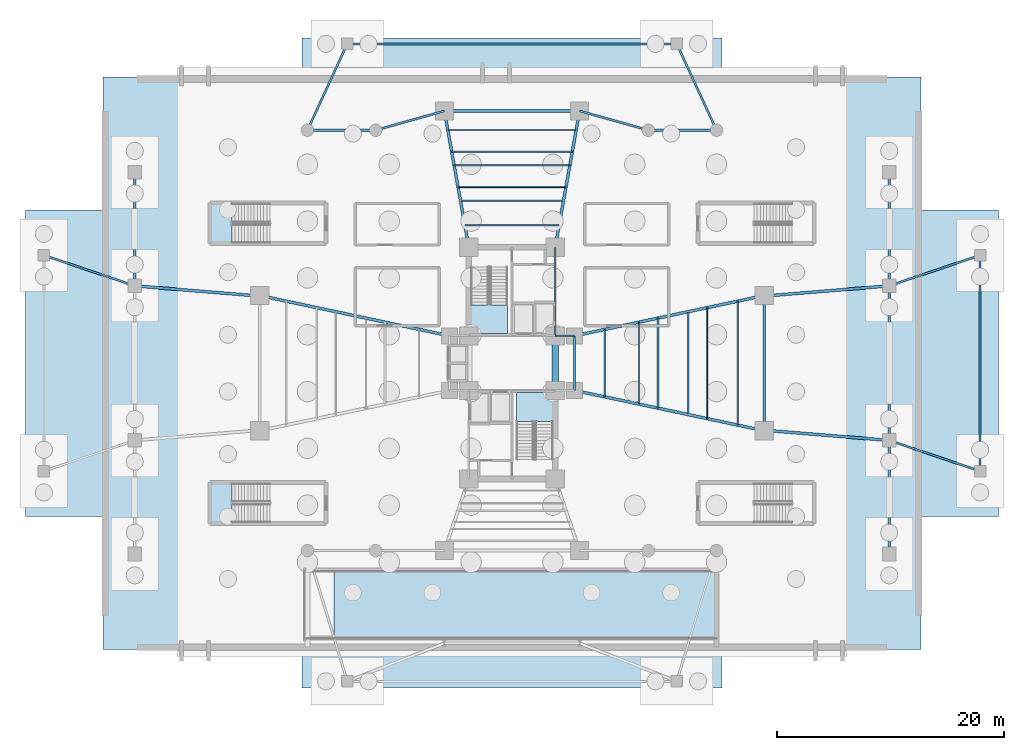
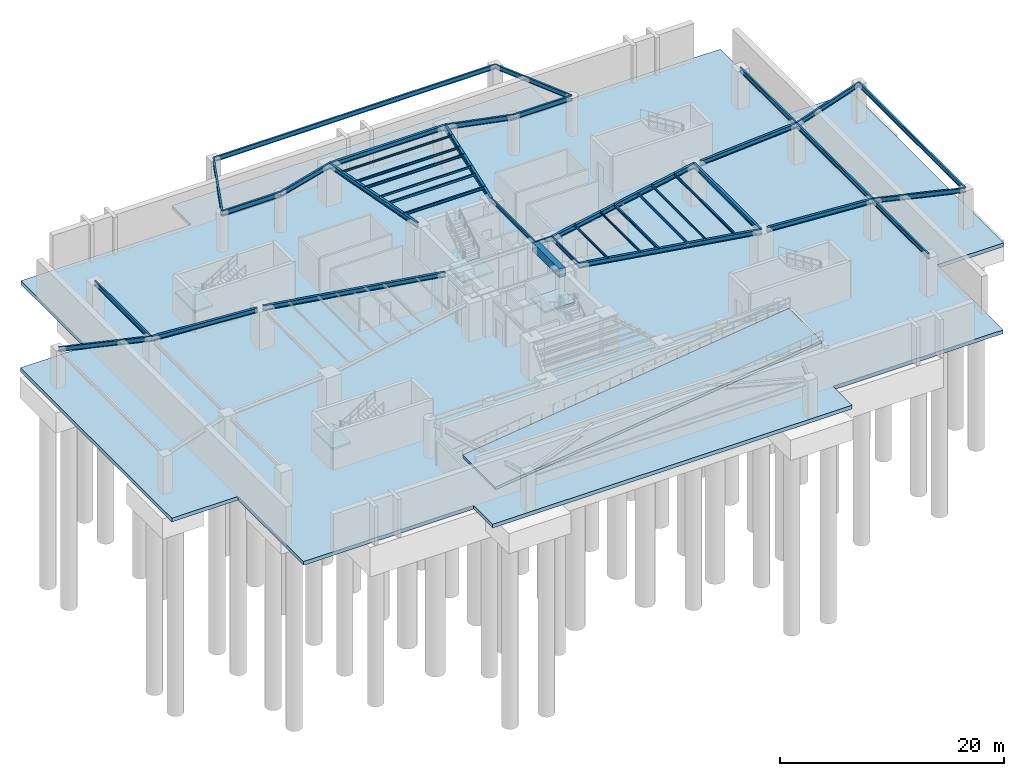
# One storey, part 4 of 15: 41 beams, 6 slabs, 4 elements without a shape of their own.
"""IFC4 building model written with IfcOpenShell, lengths in metres."""

from ifc_helpers import new_model, si_unit, direction, frame, origin, origin_2d, place, context, subcontext, project, spatial, polyline, rectangle, hollow_rectangle, i_section, outline, extrude, source, transform, mapped, material, layer, layer_set, material_profile, profile_set, type_object, element, aggregate, save


model = new_model("IFC4")

# Units and contexts
model_context = context("Model", 3, precision=1e-05, world=origin(), true_north=direction((0.0, 1.0)))
body_context = subcontext(model_context, "Body", "Model", "MODEL_VIEW")
ifc_project = project(units=[si_unit("LENGTHUNIT", "METRE"), si_unit("AREAUNIT", "SQUARE_METRE"), si_unit("VOLUMEUNIT", "CUBIC_METRE"), si_unit("PLANEANGLEUNIT", "RADIAN"), si_unit("MASSUNIT", "GRAM", prefix="KILO")], contexts=[model_context])

# Site, building, storey
site_placement = place(None, origin())
site = spatial("IfcSite", under=ifc_project, at=site_placement, CompositionType="ELEMENT")
building_placement = place(site_placement, origin())
building = spatial("IfcBuilding", under=site, at=building_placement, Name="Sahyath Konkavel Grand Hotel", CompositionType="ELEMENT")
storey_placement = place(building_placement, frame((0.0, 0.0, -9.0)))
storey = spatial("IfcBuildingStorey", under=building, at=storey_placement, Name="B2", CompositionType="ELEMENT", Elevation=-9.0)

# Beams
ifc_material_1 = material(Name="Steel E350", Category="steel")
ifc_material_profile_1 = material_profile(ifc_material_1, i_section(OverallWidth=0.179931640625, OverallDepth=0.5, WebThickness=0.01025390625, FlangeThickness=0.01708984375, FilletRadius=0.01708984375, at=origin_2d()), Name="ISMB 500")
ifc_profile_set_1 = profile_set([ifc_material_profile_1], Name="Steel E350")
beam_type_1 = type_object("IfcBeamType", Name="BM-ISMB500", PredefinedType="BEAM", material=ifc_profile_set_1)
shared_shape_1 = source(origin(), body_context, "Body", "SweptSolid", [
    extrude(i_section(OverallWidth=0.179931640625, OverallDepth=0.5, WebThickness=0.01025390625, FlangeThickness=0.01708984375, FilletRadius=0.01708984375, at=origin_2d()), origin(), (0.0, 0.0, 1.0), 19.0),
])
beam_1_placement = place(storey_placement, frame((41.199951171875, -9.5, 3.89990234375), z_axis=(0.0, 1.0, 0.0), x_axis=(-1.0, 0.0, 0.0)))
element("IfcBeam", 1, at=beam_1_placement, inside=storey, type_object=beam_type_1, Name="B2 Metro Portal Wing Girder 01", PredefinedType="BEAM", context=body_context, shape_type="MappedRepresentation", body=[
    mapped(shared_shape_1, transform((0.0, 0.0, 0.0), scale=1.0)),
])
shared_shape_2 = source(origin(), body_context, "Body", "SweptSolid", [
    extrude(i_section(OverallWidth=0.179931640625, OverallDepth=0.5, WebThickness=0.01025390625, FlangeThickness=0.01708984375, FilletRadius=0.01708984375, at=origin_2d()), origin(), (0.0, 0.0, 1.0), 8.443359375),
])
for number, where, z_axis, x_axis, name in (
    (2, (41.199951171875, -9.5, 3.89990234375), (-0.947494031165, 0.319773452474, 0.0), (-0.319773452474, -0.947494031165, 0.0), "B2 Metro Portal Wing Girder 02"),
    (3, (41.199951171875, 9.5, 3.89990234375), (-0.947494031165, -0.319773452474, 0.0), (0.319773452474, -0.947494031165, 0.0), "B2 Metro Portal Wing Girder 03"),
    (4, (-41.199951171875, 9.5, 3.89990234375), (0.947494031165, -0.319773452474, 0.0), (0.319773452474, 0.947494031165, 0.0), "B2 Metro Portal Wing Girder 06"),
):
    element("IfcBeam", number, at=place(storey_placement, frame(where, z_axis=z_axis, x_axis=x_axis)), inside=storey, type_object=beam_type_1, Name=name, PredefinedType="BEAM", context=body_context, shape_type="MappedRepresentation", body=[
        mapped(shared_shape_2, transform((0.0, 0.0, 0.0), scale=1.0)),
    ])
shared_shape_3 = source(origin(), body_context, "Body", "SweptSolid", [
    extrude(i_section(OverallWidth=0.179931640625, OverallDepth=0.5, WebThickness=0.01025390625, FlangeThickness=0.01708984375, FilletRadius=0.01708984375, at=origin_2d()), origin(), (0.0, 0.0, 1.0), 29.0),
])
beam_2_placement = place(storey_placement, frame((-14.5, 28.10009765625, 3.89990234375), z_axis=(1.0, 0.0, 0.0), x_axis=(0.0, 1.0, 0.0)))
element("IfcBeam", 5, at=beam_2_placement, inside=storey, type_object=beam_type_1, Name="B2 Metro Portal Wing Girder 07", PredefinedType="BEAM", context=body_context, shape_type="MappedRepresentation", body=[
    mapped(shared_shape_3, transform((0.0, 0.0, 0.0), scale=1.0)),
])
shared_shape_4 = source(origin(), body_context, "Body", "SweptSolid", [
    extrude(i_section(OverallWidth=0.179931640625, OverallDepth=0.5, WebThickness=0.01025390625, FlangeThickness=0.01708984375, FilletRadius=0.01708984375, at=origin_2d()), origin(), (0.0, 0.0, 1.0), 8.3671875),
])
for number, where, z_axis, x_axis, name in (
    (6, (-14.5, 28.10009765625, 3.89990234375), (-0.418295701327, -0.908310908363, 0.0), (0.908310908363, -0.418295701327, 0.0), "B2 Metro Portal Wing Girder 08"),
    (7, (14.5, 28.10009765625, 3.89990234375), (0.418295701327, -0.908310908363, 0.0), (0.908310908363, 0.418295701327, 0.0), "B2 Metro Portal Wing Girder 09"),
):
    element("IfcBeam", number, at=place(storey_placement, frame(where, z_axis=z_axis, x_axis=x_axis)), inside=storey, type_object=beam_type_1, Name=name, PredefinedType="BEAM", context=body_context, shape_type="MappedRepresentation", body=[
        mapped(shared_shape_4, transform((0.0, 0.0, 0.0), scale=1.0)),
    ])
ifc_material_2 = material(Name="Concrete C70/85", Category="concrete")
ifc_material_profile_2 = material_profile(ifc_material_2, rectangle(XDim=0.60009765625, YDim=0.89990234375, at=origin_2d()), Name="RC 600x900")
ifc_profile_set_2 = profile_set([ifc_material_profile_2], Name="Concrete C70/85")
beam_type_2 = type_object("IfcBeamType", Name="BM-CB600x900", PredefinedType="LINTEL", material=ifc_profile_set_2)
shared_shape_5 = source(origin(), body_context, "Body", "SweptSolid", [
    extrude(rectangle(XDim=0.60009765625, YDim=0.89990234375, at=origin_2d()), origin(), (0.0, 0.0, 1.0), 4.7998046875),
])
beam_3_placement = place(storey_placement, frame((3.800048828125, -2.39990234375, 3.699951171875), z_axis=(0.0, 1.0, 0.0), x_axis=(-1.0, 0.0, 0.0)))
element("IfcBeam", 8, at=beam_3_placement, inside=storey, type_object=beam_type_2, Name="B2 Split-Core Coupling Beam East", PredefinedType="LINTEL", context=body_context, shape_type="MappedRepresentation", body=[
    mapped(shared_shape_5, transform((0.0, 0.0, 0.0), scale=1.0)),
])
ifc_material_profile_3 = material_profile(ifc_material_1, i_section(OverallWidth=0.139892578125, OverallDepth=0.39990234375, WebThickness=0.0087890625, FlangeThickness=0.01611328125, FilletRadius=0.013916015625, at=origin_2d()), Name="ISMB 400")
ifc_profile_set_3 = profile_set([ifc_material_profile_3], Name="Steel E350")
beam_type_3 = type_object("IfcBeamType", Name="BM-ISMB400", PredefinedType="BEAM", material=ifc_profile_set_3)
shared_shape_6 = source(origin(), body_context, "Body", "SweptSolid", [
    extrude(i_section(OverallWidth=0.139892578125, OverallDepth=0.39990234375, WebThickness=0.0087890625, FlangeThickness=0.01611328125, FilletRadius=0.013916015625, at=origin_2d()), origin(), (0.0, 0.0, 1.0), 7.800048828125),
])
beam_4_placement = place(storey_placement, frame((3.800048828125, 2.39990234375, 3.949951171875), z_axis=(0.0, 1.0, 0.0), x_axis=(-1.0, 0.0, 0.0)))
element("IfcBeam", 9, at=beam_4_placement, inside=storey, type_object=beam_type_3, Name="str:bm:B2:NC-E", PredefinedType="BEAM", context=body_context, shape_type="MappedRepresentation", body=[
    mapped(shared_shape_6, transform((0.0, 0.0, 0.0), scale=1.0)),
])
shared_shape_7 = source(origin(), body_context, "Body", "SweptSolid", [
    extrude(i_section(OverallWidth=0.139892578125, OverallDepth=0.39990234375, WebThickness=0.0087890625, FlangeThickness=0.01611328125, FilletRadius=0.013916015625, at=origin_2d()), origin(), (0.0, 0.0, 1.0), 1.699951171875),
])
beam_5_placement = place(storey_placement, frame((3.800048828125, 2.39990234375, 3.949951171875), z_axis=(1.0, 0.0, 0.0), x_axis=(0.0, 1.0, 0.0)))
element("IfcBeam", 10, at=beam_5_placement, inside=storey, type_object=beam_type_3, Name="str:bm:B2:HB-NE", PredefinedType="BEAM", context=body_context, shape_type="MappedRepresentation", body=[
    mapped(shared_shape_7, transform((0.0, 0.0, 0.0), scale=1.0)),
])
shared_shape_8 = source(origin(), body_context, "Body", "SweptSolid", [
    extrude(i_section(OverallWidth=0.139892578125, OverallDepth=0.39990234375, WebThickness=0.0087890625, FlangeThickness=0.01611328125, FilletRadius=0.013916015625, at=origin_2d()), origin(), (0.0, 0.0, 1.0), 4.7998046875),
])
beam_6_placement = place(storey_placement, frame((5.5, -2.39990234375, 3.949951171875), z_axis=(0.0, 1.0, 0.0), x_axis=(-1.0, 0.0, 0.0)))
element("IfcBeam", 11, at=beam_6_placement, inside=storey, type_object=beam_type_3, Name="str:bm:B2:HB-E", PredefinedType="BEAM", context=body_context, shape_type="MappedRepresentation", body=[
    mapped(shared_shape_8, transform((0.0, 0.0, 0.0), scale=1.0)),
])
ifc_material_profile_4 = material_profile(ifc_material_1, i_section(OverallWidth=0.25, OverallDepth=0.5, WebThickness=0.010009765625, FlangeThickness=0.0146484375, FilletRadius=0.014892578125, at=origin_2d()), Name="ISWB 500")
ifc_profile_set_4 = profile_set([ifc_material_profile_4], Name="Steel E350")
beam_type_4 = type_object("IfcBeamType", Name="BM-ISWB500", PredefinedType="BEAM", material=ifc_profile_set_4)
shared_shape_9 = source(origin(), body_context, "Body", "SweptSolid", [
    extrude(i_section(OverallWidth=0.25, OverallDepth=0.5, WebThickness=0.010009765625, FlangeThickness=0.0146484375, FilletRadius=0.014892578125, at=origin_2d()), origin(), (0.0, 0.0, 1.0), 17.072998046875),
])
for number, where, z_axis, x_axis, name in (
    (12, (5.5, -2.39990234375, 3.89990234375), (0.978143257225, -0.20793212437, 0.0), (0.20793212437, 0.978143257225, 0.0), "B2 Podium Primary Girder EA"),
    (13, (5.5, 2.39990234375, 3.89990234375), (0.978143257225, 0.20793212437, 0.0), (-0.20793212437, 0.978143257225, 0.0), "B2 Podium Primary Girder EB"),
    (14, (-5.5, 2.39990234375, 3.89990234375), (-0.978143257225, 0.20793212437, 0.0), (-0.20793212437, -0.978143257225, 0.0), "B2 Podium Primary Girder WA"),
):
    element("IfcBeam", number, at=place(storey_placement, frame(where, z_axis=z_axis, x_axis=x_axis)), inside=storey, type_object=beam_type_4, Name=name, PredefinedType="BEAM", context=body_context, shape_type="MappedRepresentation", body=[
        mapped(shared_shape_9, transform((0.0, 0.0, 0.0), scale=1.0)),
    ])
shared_shape_10 = source(origin(), body_context, "Body", "SweptSolid", [
    extrude(i_section(OverallWidth=0.25, OverallDepth=0.5, WebThickness=0.010009765625, FlangeThickness=0.0146484375, FilletRadius=0.014892578125, at=origin_2d()), origin(), (0.0, 0.0, 1.0), 12.191162109375),
])
for number, where, z_axis, x_axis, name in (
    (15, (3.800048828125, 10.199951171875, 3.89990234375), (0.176350650305, 0.984327409014, 0.0), (-0.984327409014, 0.176350650305, 0.0), "B2 Podium Primary Girder NA"),
    (16, (-3.800048828125, 10.199951171875, 3.89990234375), (-0.176350650305, 0.984327409014, 0.0), (-0.984327409014, -0.176350650305, 0.0), "B2 Podium Primary Girder NB"),
):
    element("IfcBeam", number, at=place(storey_placement, frame(where, z_axis=z_axis, x_axis=x_axis)), inside=storey, type_object=beam_type_4, Name=name, PredefinedType="BEAM", context=body_context, shape_type="MappedRepresentation", body=[
        mapped(shared_shape_10, transform((0.0, 0.0, 0.0), scale=1.0)),
    ])
shared_shape_11 = source(origin(), body_context, "Body", "SweptSolid", [
    extrude(i_section(OverallWidth=0.25, OverallDepth=0.5, WebThickness=0.010009765625, FlangeThickness=0.0146484375, FilletRadius=0.014892578125, at=origin_2d()), origin(), (0.0, 0.0, 1.0), 11.89990234375),
])
for number, where, z_axis, x_axis, name in (
    (17, (22.199951171875, -5.949951171875, 3.89990234375), (0.0, 1.0, 0.0), (-1.0, 0.0, 0.0), "B2 Podium Primary Girder Tie E"),
    (18, (5.949951171875, 22.199951171875, 3.89990234375), (-1.0, 0.0, 0.0), (0.0, -1.0, 0.0), "B2 Podium Primary Girder Tie N"),
):
    element("IfcBeam", number, at=place(storey_placement, frame(where, z_axis=z_axis, x_axis=x_axis)), inside=storey, type_object=beam_type_4, Name=name, PredefinedType="BEAM", context=body_context, shape_type="MappedRepresentation", body=[
        mapped(shared_shape_11, transform((0.0, 0.0, 0.0), scale=1.0)),
    ])
ifc_material_profile_5 = material_profile(ifc_material_1, i_section(OverallWidth=0.18994140625, OverallDepth=0.550048828125, WebThickness=0.01123046875, FlangeThickness=0.019287109375, FilletRadius=0.01806640625, at=origin_2d()), Name="ISMB 550")
ifc_profile_set_5 = profile_set([ifc_material_profile_5], Name="Steel E350")
beam_type_5 = type_object("IfcBeamType", Name="BM-ISMB550", PredefinedType="BEAM", material=ifc_profile_set_5)
shared_shape_12 = source(origin(), body_context, "Body", "SweptSolid", [
    extrude(i_section(OverallWidth=0.18994140625, OverallDepth=0.550048828125, WebThickness=0.01123046875, FlangeThickness=0.019287109375, FilletRadius=0.01806640625, at=origin_2d()), origin(), (0.0, 0.0, 1.0), 6.0),
])
for number, where, z_axis, x_axis, name in (
    (19, (-18.0, 20.5, 3.875), (1.0, 0.0, 0.0), (0.0, 1.0, 0.0), "str:bm:B2:POD-01"),
    (20, (12.0, 20.5, 3.875), (1.0, 0.0, 0.0), (0.0, 1.0, 0.0), "str:bm:B2:POD-04"),
):
    element("IfcBeam", number, at=place(storey_placement, frame(where, z_axis=z_axis, x_axis=x_axis)), inside=storey, type_object=beam_type_5, Name=name, PredefinedType="BEAM", context=body_context, shape_type="MappedRepresentation", body=[
        mapped(shared_shape_12, transform((0.0, 0.0, 0.0), scale=1.0)),
    ])
shared_shape_13 = source(origin(), body_context, "Body", "SweptSolid", [
    extrude(i_section(OverallWidth=0.18994140625, OverallDepth=0.550048828125, WebThickness=0.01123046875, FlangeThickness=0.019287109375, FilletRadius=0.01806640625, at=origin_2d()), origin(), (0.0, 0.0, 1.0), 6.284423828125),
])
for number, where, z_axis, x_axis, name in (
    (21, (-12.0, 20.5, 3.875), (0.962718307277, 0.270505934933, 0.0), (-0.270505934933, 0.962718307277, 0.0), "str:bm:B2:POD-02"),
    (22, (5.949951171875, 22.199951171875, 3.875), (0.962718307277, -0.270505934933, 0.0), (0.270505934933, 0.962718307277, 0.0), "str:bm:B2:POD-03"),
):
    element("IfcBeam", number, at=place(storey_placement, frame(where, z_axis=z_axis, x_axis=x_axis)), inside=storey, type_object=beam_type_5, Name=name, PredefinedType="BEAM", context=body_context, shape_type="MappedRepresentation", body=[
        mapped(shared_shape_13, transform((0.0, 0.0, 0.0), scale=1.0)),
    ])
shared_shape_14 = source(origin(), body_context, "Body", "SweptSolid", [
    extrude(i_section(OverallWidth=0.179931640625, OverallDepth=0.5, WebThickness=0.01025390625, FlangeThickness=0.01708984375, FilletRadius=0.01708984375, at=origin_2d()), origin(), (0.0, 0.0, 1.0), 10.0),
])
for number, where, z_axis, x_axis, name in (
    (23, (33.199951171875, -16.800048828125, 3.89990234375), (0.0, 1.0, 0.0), (-1.0, 0.0, 0.0), "str:bm:B2:POD-09"),
    (24, (33.199951171875, 6.800048828125, 3.89990234375), (0.0, 1.0, 0.0), (-1.0, 0.0, 0.0), "str:bm:B2:POD-13"),
    (25, (-33.199951171875, 6.800048828125, 3.89990234375), (0.0, 1.0, 0.0), (-1.0, 0.0, 0.0), "str:bm:B2:POD-18"),
):
    element("IfcBeam", number, at=place(storey_placement, frame(where, z_axis=z_axis, x_axis=x_axis)), inside=storey, type_object=beam_type_1, Name=name, PredefinedType="BEAM", context=body_context, shape_type="MappedRepresentation", body=[
        mapped(shared_shape_14, transform((0.0, 0.0, 0.0), scale=1.0)),
    ])
shared_shape_15 = source(origin(), body_context, "Body", "SweptSolid", [
    extrude(i_section(OverallWidth=0.25, OverallDepth=0.5, WebThickness=0.010009765625, FlangeThickness=0.0146484375, FilletRadius=0.014892578125, at=origin_2d()), origin(), (0.0, 0.0, 1.0), 10.4345703125),
])
for number, where, z_axis, x_axis, name in (
    (26, (33.199951171875, -6.800048828125, 3.89990234375), (-0.996675859081, 0.081469208445, 0.0), (-0.081469208445, -0.996675859081, 0.0), "str:bm:B2:POD-10"),
    (27, (33.199951171875, 6.800048828125, 3.89990234375), (-0.996675859081, -0.081469208445, 0.0), (0.081469208445, -0.996675859081, 0.0), "str:bm:B2:POD-12"),
    (28, (-33.199951171875, 6.800048828125, 3.89990234375), (0.996675859081, -0.081469208445, 0.0), (0.081469208445, 0.996675859081, 0.0), "str:bm:B2:POD-17"),
):
    element("IfcBeam", number, at=place(storey_placement, frame(where, z_axis=z_axis, x_axis=x_axis)), inside=storey, type_object=beam_type_4, Name=name, PredefinedType="BEAM", context=body_context, shape_type="MappedRepresentation", body=[
        mapped(shared_shape_15, transform((0.0, 0.0, 0.0), scale=1.0)),
    ])
shared_shape_16 = source(origin(), body_context, "Body", "SweptSolid", [
    extrude(i_section(OverallWidth=0.179931640625, OverallDepth=0.5, WebThickness=0.01025390625, FlangeThickness=0.01708984375, FilletRadius=0.01708984375, at=origin_2d()), origin(), (0.0, 0.0, 1.0), 13.60009765625),
])
beam_7_placement = place(storey_placement, frame((33.199951171875, -6.800048828125, 3.89990234375), z_axis=(0.0, 1.0, 0.0), x_axis=(-1.0, 0.0, 0.0)))
element("IfcBeam", 29, at=beam_7_placement, inside=storey, type_object=beam_type_1, Name="str:bm:B2:POD-11", PredefinedType="BEAM", context=body_context, shape_type="MappedRepresentation", body=[
    mapped(shared_shape_16, transform((0.0, 0.0, 0.0), scale=1.0)),
])
ifc_material_profile_6 = material_profile(ifc_material_1, i_section(OverallWidth=0.110107421875, OverallDepth=0.22509765625, WebThickness=0.006591796875, FlangeThickness=0.01171875, FilletRadius=0.011962890625, at=origin_2d()), Name="ISMB 225")
ifc_profile_set_6 = profile_set([ifc_material_profile_6], Name="Steel E350")
beam_type_6 = type_object("IfcBeamType", Name="BM-ISMB225", PredefinedType="BEAM", material=ifc_profile_set_6)
shared_shape_17 = source(origin(), body_context, "Body", "SweptSolid", [
    extrude(i_section(OverallWidth=0.110107421875, OverallDepth=0.22509765625, WebThickness=0.006591796875, FlangeThickness=0.01171875, FilletRadius=0.011962890625, at=origin_2d()), origin(), (0.0, 0.0, 1.0), 5.93603515625),
])
beam_8_placement = place(storey_placement, frame((8.172119140625, -2.968017578125, 4.03759765625), z_axis=(0.0, 1.0, 0.0), x_axis=(-1.0, 0.0, 0.0)))
element("IfcBeam", 30, at=beam_8_placement, inside=storey, type_object=beam_type_6, Name="B2 Composite Deck Sub-Beam E-1", PredefinedType="BEAM", context=body_context, shape_type="MappedRepresentation", body=[
    mapped(shared_shape_17, transform((0.0, 0.0, 0.0), scale=1.0)),
])
ifc_material_profile_7 = material_profile(ifc_material_1, i_section(OverallWidth=0.10009765625, OverallDepth=0.199951171875, WebThickness=0.005615234375, FlangeThickness=0.0107421875, FilletRadius=0.010986328125, at=origin_2d()), Name="ISMB 200")
ifc_profile_set_7 = profile_set([ifc_material_profile_7], Name="Steel E350")
beam_type_7 = type_object("IfcBeamType", Name="BM-ISMB200", PredefinedType="BEAM", material=ifc_profile_set_7)
shared_shape_18 = source(origin(), body_context, "Body", "SweptSolid", [
    extrude(i_section(OverallWidth=0.10009765625, OverallDepth=0.199951171875, WebThickness=0.005615234375, FlangeThickness=0.0107421875, FilletRadius=0.010986328125, at=origin_2d()), origin(), (0.0, 0.0, 1.0), 7.2138671875),
])
beam_9_placement = place(storey_placement, frame((11.177978515625, -3.60693359375, 4.050048828125), z_axis=(0.0, 1.0, 0.0), x_axis=(-1.0, 0.0, 0.0)))
element("IfcBeam", 31, at=beam_9_placement, inside=storey, type_object=beam_type_7, Name="B2 Composite Deck Sub-Beam E-2", PredefinedType="BEAM", context=body_context, shape_type="MappedRepresentation", body=[
    mapped(shared_shape_18, transform((0.0, 0.0, 0.0), scale=1.0)),
])
ifc_material_profile_8 = material_profile(ifc_material_1, i_section(OverallWidth=0.139892578125, OverallDepth=0.27490234375, WebThickness=0.00634765625, FlangeThickness=0.0087890625, FilletRadius=0.012939453125, at=origin_2d()), Name="ISLB 275")
ifc_profile_set_8 = profile_set([ifc_material_profile_8], Name="Steel E350")
beam_type_8 = type_object("IfcBeamType", Name="BM-ISLB275", PredefinedType="BEAM", material=ifc_profile_set_8)
shared_shape_19 = source(origin(), body_context, "Body", "SweptSolid", [
    extrude(i_section(OverallWidth=0.139892578125, OverallDepth=0.27490234375, WebThickness=0.00634765625, FlangeThickness=0.0087890625, FilletRadius=0.012939453125, at=origin_2d()), origin(), (0.0, 0.0, 1.0), 7.923828125),
])
beam_10_placement = place(storey_placement, frame((12.847900390625, -3.9619140625, 4.012451171875), z_axis=(0.0, 1.0, 0.0), x_axis=(-1.0, 0.0, 0.0)))
element("IfcBeam", 32, at=beam_10_placement, inside=storey, type_object=beam_type_8, Name="B2 Composite Deck Sub-Beam E-3", PredefinedType="BEAM", context=body_context, shape_type="MappedRepresentation", body=[
    mapped(shared_shape_19, transform((0.0, 0.0, 0.0), scale=1.0)),
])
ifc_material_profile_9 = material_profile(ifc_material_1, hollow_rectangle(XDim=0.1201171875, YDim=0.219970703125, WallThickness=0.010009765625, at=origin_2d()), Name="RHS 220x120x10")
ifc_profile_set_9 = profile_set([ifc_material_profile_9], Name="Steel E350")
beam_type_9 = type_object("IfcBeamType", Name="BM-RHS220", PredefinedType="BEAM", material=ifc_profile_set_9)
shared_shape_20 = source(origin(), body_context, "Body", "SweptSolid", [
    extrude(hollow_rectangle(XDim=0.1201171875, YDim=0.219970703125, WallThickness=0.010009765625, at=origin_2d()), origin(), (0.0, 0.0, 1.0), 9.06005859375),
])
beam_11_placement = place(storey_placement, frame((15.52001953125, -4.530029296875, 4.0400390625), z_axis=(0.0, 1.0, 0.0), x_axis=(-1.0, 0.0, 0.0)))
element("IfcBeam", 33, at=beam_11_placement, inside=storey, type_object=beam_type_9, Name="B2 Composite Deck Sub-Beam E-4", PredefinedType="BEAM", context=body_context, shape_type="MappedRepresentation", body=[
    mapped(shared_shape_20, transform((0.0, 0.0, 0.0), scale=1.0)),
])
ifc_material_profile_10 = material_profile(ifc_material_1, hollow_rectangle(XDim=0.090087890625, YDim=0.179931640625, WallThickness=0.008056640625, at=origin_2d()), Name="RHS 180x90x8")
ifc_profile_set_10 = profile_set([ifc_material_profile_10], Name="Steel E350")
beam_type_10 = type_object("IfcBeamType", Name="BM-RHS180", PredefinedType="BEAM", material=ifc_profile_set_10)
shared_shape_21 = source(origin(), body_context, "Body", "SweptSolid", [
    extrude(hollow_rectangle(XDim=0.090087890625, YDim=0.179931640625, WallThickness=0.008056640625, at=origin_2d()), origin(), (0.0, 0.0, 1.0), 9.77001953125),
])
beam_12_placement = place(storey_placement, frame((17.18994140625, -4.885009765625, 4.06005859375), z_axis=(0.0, 1.0, 0.0), x_axis=(-1.0, 0.0, 0.0)))
element("IfcBeam", 34, at=beam_12_placement, inside=storey, type_object=beam_type_10, Name="B2 Composite Deck Sub-Beam E-5", PredefinedType="BEAM", context=body_context, shape_type="MappedRepresentation", body=[
    mapped(shared_shape_21, transform((0.0, 0.0, 0.0), scale=1.0)),
])
ifc_material_profile_11 = material_profile(ifc_material_1, i_section(OverallWidth=0.125, OverallDepth=0.25, WebThickness=0.0068359375, FlangeThickness=0.012451171875, FilletRadius=0.012939453125, at=origin_2d()), Name="ISMB 250")
ifc_profile_set_11 = profile_set([ifc_material_profile_11], Name="Steel E350")
beam_type_11 = type_object("IfcBeamType", Name="BM-ISMB250", PredefinedType="BEAM", material=ifc_profile_set_11)
shared_shape_22 = source(origin(), body_context, "Body", "SweptSolid", [
    extrude(i_section(OverallWidth=0.125, OverallDepth=0.25, WebThickness=0.0068359375, FlangeThickness=0.012451171875, FilletRadius=0.012939453125, at=origin_2d()), origin(), (0.0, 0.0, 1.0), 10.90576171875),
])
beam_13_placement = place(storey_placement, frame((19.862060546875, -5.452880859375, 4.02490234375), z_axis=(0.0, 1.0, 0.0), x_axis=(-1.0, 0.0, 0.0)))
element("IfcBeam", 35, at=beam_13_placement, inside=storey, type_object=beam_type_11, Name="B2 Composite Deck Sub-Beam E-6", PredefinedType="BEAM", context=body_context, shape_type="MappedRepresentation", body=[
    mapped(shared_shape_22, transform((0.0, 0.0, 0.0), scale=1.0)),
])
shared_shape_23 = source(origin(), body_context, "Body", "SweptSolid", [
    extrude(i_section(OverallWidth=0.139892578125, OverallDepth=0.27490234375, WebThickness=0.00634765625, FlangeThickness=0.0087890625, FilletRadius=0.012939453125, at=origin_2d()), origin(), (0.0, 0.0, 1.0), 8.2880859375),
])
beam_14_placement = place(storey_placement, frame((4.14404296875, 12.1201171875, 4.012451171875), z_axis=(-1.0, 0.0, 0.0), x_axis=(0.0, -1.0, 0.0)))
element("IfcBeam", 36, at=beam_14_placement, inside=storey, type_object=beam_type_8, Name="B2 Composite Deck Sub-Beam N-1", PredefinedType="BEAM", context=body_context, shape_type="MappedRepresentation", body=[
    mapped(shared_shape_23, transform((0.0, 0.0, 0.0), scale=1.0)),
])
shared_shape_24 = source(origin(), body_context, "Body", "SweptSolid", [
    extrude(hollow_rectangle(XDim=0.1201171875, YDim=0.219970703125, WallThickness=0.010009765625, at=origin_2d()), origin(), (0.0, 0.0, 1.0), 9.06201171875),
])
beam_15_placement = place(storey_placement, frame((4.531005859375, 14.280029296875, 4.0400390625), z_axis=(-1.0, 0.0, 0.0), x_axis=(0.0, -1.0, 0.0)))
element("IfcBeam", 37, at=beam_15_placement, inside=storey, type_object=beam_type_9, Name="B2 Composite Deck Sub-Beam N-2", PredefinedType="BEAM", context=body_context, shape_type="MappedRepresentation", body=[
    mapped(shared_shape_24, transform((0.0, 0.0, 0.0), scale=1.0)),
])
shared_shape_25 = source(origin(), body_context, "Body", "SweptSolid", [
    extrude(hollow_rectangle(XDim=0.090087890625, YDim=0.179931640625, WallThickness=0.008056640625, at=origin_2d()), origin(), (0.0, 0.0, 1.0), 9.4921875),
])
beam_16_placement = place(storey_placement, frame((4.74609375, 15.47998046875, 4.06005859375), z_axis=(-1.0, 0.0, 0.0), x_axis=(0.0, -1.0, 0.0)))
element("IfcBeam", 38, at=beam_16_placement, inside=storey, type_object=beam_type_10, Name="B2 Composite Deck Sub-Beam N-3", PredefinedType="BEAM", context=body_context, shape_type="MappedRepresentation", body=[
    mapped(shared_shape_25, transform((0.0, 0.0, 0.0), scale=1.0)),
])
shared_shape_26 = source(origin(), body_context, "Body", "SweptSolid", [
    extrude(i_section(OverallWidth=0.125, OverallDepth=0.25, WebThickness=0.0068359375, FlangeThickness=0.012451171875, FilletRadius=0.012939453125, at=origin_2d()), origin(), (0.0, 0.0, 1.0), 10.18017578125),
])
beam_17_placement = place(storey_placement, frame((5.090087890625, 17.39990234375, 4.02490234375), z_axis=(-1.0, 0.0, 0.0), x_axis=(0.0, -1.0, 0.0)))
element("IfcBeam", 39, at=beam_17_placement, inside=storey, type_object=beam_type_11, Name="B2 Composite Deck Sub-Beam N-4", PredefinedType="BEAM", context=body_context, shape_type="MappedRepresentation", body=[
    mapped(shared_shape_26, transform((0.0, 0.0, 0.0), scale=1.0)),
])
shared_shape_27 = source(origin(), body_context, "Body", "SweptSolid", [
    extrude(i_section(OverallWidth=0.110107421875, OverallDepth=0.22509765625, WebThickness=0.006591796875, FlangeThickness=0.01171875, FilletRadius=0.011962890625, at=origin_2d()), origin(), (0.0, 0.0, 1.0), 10.60986328125),
])
beam_18_placement = place(storey_placement, frame((5.304931640625, 18.60009765625, 4.03759765625), z_axis=(-1.0, 0.0, 0.0), x_axis=(0.0, -1.0, 0.0)))
element("IfcBeam", 40, at=beam_18_placement, inside=storey, type_object=beam_type_6, Name="B2 Composite Deck Sub-Beam N-5", PredefinedType="BEAM", context=body_context, shape_type="MappedRepresentation", body=[
    mapped(shared_shape_27, transform((0.0, 0.0, 0.0), scale=1.0)),
])
shared_shape_28 = source(origin(), body_context, "Body", "SweptSolid", [
    extrude(i_section(OverallWidth=0.10009765625, OverallDepth=0.199951171875, WebThickness=0.005615234375, FlangeThickness=0.0107421875, FilletRadius=0.010986328125, at=origin_2d()), origin(), (0.0, 0.0, 1.0), 11.2978515625),
])
beam_19_placement = place(storey_placement, frame((5.64892578125, 20.52001953125, 4.050048828125), z_axis=(-1.0, 0.0, 0.0), x_axis=(0.0, -1.0, 0.0)))
element("IfcBeam", 41, at=beam_19_placement, inside=storey, type_object=beam_type_7, Name="B2 Composite Deck Sub-Beam N-6", PredefinedType="BEAM", context=body_context, shape_type="MappedRepresentation", body=[
    mapped(shared_shape_28, transform((0.0, 0.0, 0.0), scale=1.0)),
])

# Slab
ifc_material_3 = material(Name="Concrete C50/60", Category="concrete")
ifc_layer_1 = layer(ifc_material_3, 0.39990234375)
ifc_layer_set_1 = layer_set([ifc_layer_1], Name="Concrete C50/60")
slab_type_1 = type_object("IfcSlabType", Name="SLB-BASE400", PredefinedType="BASESLAB", material=ifc_layer_set_1)
slab_1_placement = place(storey_placement, frame((0.0, 0.0, -0.39990234375)))
element("IfcSlab", 42, at=slab_1_placement, inside=storey, type_object=slab_type_1, Name="B2 Structural Base Slab", PredefinedType="BASESLAB", context=body_context, shape_type="SweptSolid", body=[
    extrude(outline(polyline([(-18.5, -28.60009765625), (18.5, -28.60009765625), (18.5, -25.199951171875), (36.0, -25.199951171875), (36.0, -13.5), (42.800048828125, -13.5), (42.800048828125, 13.5), (36.0, 13.5), (36.0, 25.199951171875), (18.5, 25.199951171875), (18.5, 28.60009765625), (-18.5, 28.60009765625), (-18.5, 25.199951171875), (-36.0, 25.199951171875), (-36.0, 13.5), (-42.800048828125, 13.5), (-42.800048828125, -13.5), (-36.0, -13.5), (-36.0, -25.199951171875), (-18.5, -25.199951171875), (-18.5, -28.60009765625)])), origin(), (0.0, 0.0, 1.0), 0.39990234375),
])

# Stair, slab
ifc_material_4 = material(Name="Concrete C40/50", Category="concrete")
stair_type = type_object("IfcStairType", Name="STR-ST16-450", PredefinedType="HALF_TURN_STAIR", material=ifc_material_4)
stair_1_placement = place(storey_placement, origin())
stair_1 = element("IfcStair", 43, at=stair_1_placement, inside=storey, type_object=stair_type, Name="B2 North Core Smokeproof Exit Stair ST-1", PredefinedType="HALF_TURN_STAIR")
ifc_layer_2 = layer(ifc_material_4, 0.199951171875)
ifc_layer_set_2 = layer_set([ifc_layer_2], Name="Concrete C40/50")
slab_type_2 = type_object("IfcSlabType", Name="SLB-STAIR-LND", PredefinedType="LANDING", material=ifc_layer_set_2)
slab_2_placement = place(storey_placement, frame((0.0, 0.0, 2.050048828125)))
slab_2 = element("IfcSlab", 44, at=slab_2_placement, type_object=slab_type_2, Name="ST-1 landing 1", PredefinedType="LANDING", context=body_context, shape_type="SweptSolid", body=[
    extrude(outline(polyline([(-3.60009765625, 5.1201171875), (-3.60009765625, 2.60009765625), (-0.39990234375, 2.60009765625), (-0.39990234375, 5.1201171875), (-3.60009765625, 5.1201171875)])), origin(), (0.0, 0.0, 1.0), 0.199951171875),
])
aggregate(stair_1, [slab_2])

stair_2_placement = place(storey_placement, origin())
stair_2 = element("IfcStair", 45, at=stair_2_placement, inside=storey, type_object=stair_type, Name="B2 South Core Smokeproof Exit Stair ST-2", PredefinedType="HALF_TURN_STAIR")
slab_3_placement = place(storey_placement, frame((0.0, 0.0, 2.050048828125)))
slab_3 = element("IfcSlab", 46, at=slab_3_placement, type_object=slab_type_2, Name="ST-2 landing 1", PredefinedType="LANDING", context=body_context, shape_type="SweptSolid", body=[
    extrude(outline(polyline([(3.60009765625, -5.1201171875), (3.60009765625, -2.60009765625), (0.39990234375, -2.60009765625), (0.39990234375, -5.1201171875), (3.60009765625, -5.1201171875)])), origin(), (0.0, 0.0, 1.0), 0.199951171875),
])
aggregate(stair_2, [slab_3])

stair_3_placement = place(storey_placement, origin())
stair_3 = element("IfcStair", 47, at=stair_3_placement, inside=storey, type_object=stair_type, Name="B2 Podium Protected Exit Stair ST-P1", PredefinedType="HALF_TURN_STAIR")
slab_4_placement = place(storey_placement, frame((0.0, 0.0, 2.050048828125)))
slab_4 = element("IfcSlab", 48, at=slab_4_placement, type_object=slab_type_2, Name="ST-P1 landing 1", PredefinedType="LANDING", context=body_context, shape_type="SweptSolid", body=[
    extrude(outline(polyline([(-24.64990234375, 14.0400390625), (-26.580078125, 14.0400390625), (-26.580078125, 10.580078125), (-24.64990234375, 10.580078125), (-24.64990234375, 14.0400390625)])), origin(), (0.0, 0.0, 1.0), 0.199951171875),
])
aggregate(stair_3, [slab_4])

stair_4_placement = place(storey_placement, origin())
stair_4 = element("IfcStair", 49, at=stair_4_placement, inside=storey, type_object=stair_type, Name="B2 Podium Protected Exit Stair ST-P3", PredefinedType="HALF_TURN_STAIR")
slab_5_placement = place(storey_placement, frame((0.0, 0.0, 2.050048828125)))
slab_5 = element("IfcSlab", 50, at=slab_5_placement, type_object=slab_type_2, Name="ST-P3 landing 1", PredefinedType="LANDING", context=body_context, shape_type="SweptSolid", body=[
    extrude(outline(polyline([(-24.64990234375, -10.580078125), (-26.580078125, -10.580078125), (-26.580078125, -14.0400390625), (-24.64990234375, -14.0400390625), (-24.64990234375, -10.580078125)])), origin(), (0.0, 0.0, 1.0), 0.199951171875),
])
aggregate(stair_4, [slab_5])

# Slab
ifc_layer_3 = layer(ifc_material_3, 0.280029296875)
ifc_layer_set_3 = layer_set([ifc_layer_3], Name="Concrete C50/60")
slab_type_3 = type_object("IfcSlabType", Name="SLB-VRAMP-280", PredefinedType="BASESLAB", material=ifc_layer_set_3)
slab_6_placement = place(storey_placement, frame((-15.64990234375, -24.10009765625, 0.2900390625), z_axis=(-0.124434385313, 0.0, 0.99222783863), x_axis=(0.99222783863, 0.0, 0.124434385313)))
element("IfcSlab", 51, at=slab_6_placement, inside=storey, type_object=slab_type_3, Name="Basement B2 to B1 Structural Vehicle Ramp Slab VRS-1", PredefinedType="BASESLAB", context=body_context, shape_type="SweptSolid", body=[
    extrude(outline(polyline([(0.0, 0.0), (33.83277802919899, 0.0), (33.83277802919899, 5.800048828125), (0.0, 5.800048828125), (0.0, 0.0)])), origin(), (0.0, 0.0, -1.0), 0.280029296875),
])

save(model, "model.ifc")
